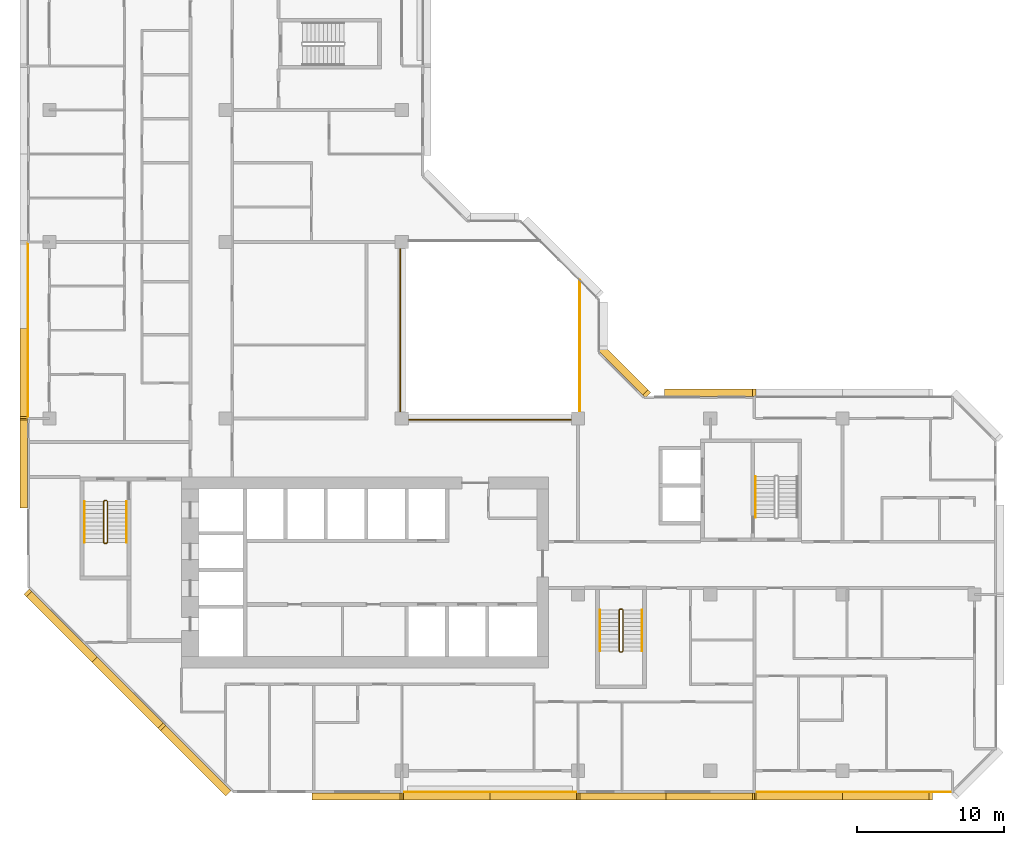
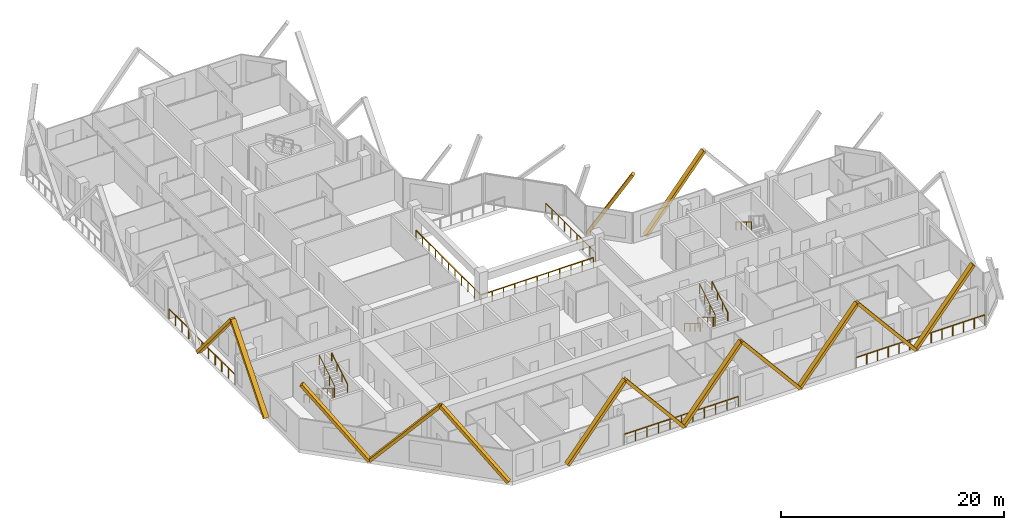
# One storey, part 14 of 15: 14 coverings, 12 railings.
"""IFC4 building model written with IfcOpenShell, lengths in metres."""

from ifc_helpers import new_model, si_unit, direction, frame, origin, origin_2d, place, context, subcontext, project, spatial, rectangle, extrude, material, material_profile, profile_set, type_object, element, save


model = new_model("IFC4")

# Units and contexts
model_context = context("Model", 3, precision=1e-05, world=origin(), true_north=direction((0.0, 1.0)))
body_context = subcontext(model_context, "Body", "Model", "MODEL_VIEW")
ifc_project = project(units=[si_unit("LENGTHUNIT", "METRE"), si_unit("AREAUNIT", "SQUARE_METRE"), si_unit("VOLUMEUNIT", "CUBIC_METRE"), si_unit("PLANEANGLEUNIT", "RADIAN"), si_unit("MASSUNIT", "GRAM", prefix="KILO")], contexts=[model_context])

# Site, building, storey
site_placement = place(None, origin())
site = spatial("IfcSite", under=ifc_project, at=site_placement, CompositionType="ELEMENT")
building_placement = place(site_placement, origin())
building = spatial("IfcBuilding", under=site, at=building_placement, Name="Chenar Terraces", CompositionType="ELEMENT")
storey_placement = place(building_placement, frame((0.0, 0.0, 172.39990234375)))
storey = spatial("IfcBuildingStorey", under=building, at=storey_placement, Name="L39", CompositionType="ELEMENT", Elevation=172.39990234375)

# Railings
ifc_material_1 = material(Name="Powder-coated steel", Category="steel")
railing_type_1 = type_object("IfcRailingType", Name="Guard 1100 steel rail with glass infill", PredefinedType="GUARDRAIL", material=ifc_material_1)
railing_1_placement = place(storey_placement, frame((23.89990234375, 35.550048828125, 0.0)))
element("IfcRailing", 1, at=railing_1_placement, inside=storey, type_object=railing_type_1, Name="Guard L39-1", PredefinedType="GUARDRAIL", context=body_context, shape_type="SweptSolid", body=[
    extrude(rectangle(XDim=0.06005859375, YDim=0.06005859375, at=origin_2d()), frame((0.0, 0.0, 1.070068359375), z_axis=(0.0, -1.0, 0.0), x_axis=(1.0, 0.0, 0.0)), (0.0, 0.0, 1.0), 11.650146484375),
    extrude(rectangle(XDim=0.06005859375, YDim=0.06005859375, at=origin_2d()), frame((0.0, -11.650146484375, 1.070068359375), z_axis=(1.0, 0.0, 0.0), x_axis=(0.0, 1.0, 0.0)), (0.0, 0.0, 1.0), 11.650146484375),
    extrude(rectangle(XDim=0.050048828125, YDim=0.050048828125, at=origin_2d()), origin(), (0.0, 0.0, 1.0), 1.0400390625),
    extrude(rectangle(XDim=0.050048828125, YDim=0.050048828125, at=origin_2d()), frame((0.0, -1.1650390625, 0.0)), (0.0, 0.0, 1.0), 1.0400390625),
    extrude(rectangle(XDim=0.050048828125, YDim=0.050048828125, at=origin_2d()), frame((0.0, -2.330078125, 0.0)), (0.0, 0.0, 1.0), 1.0400390625),
    extrude(rectangle(XDim=0.050048828125, YDim=0.050048828125, at=origin_2d()), frame((0.0, -3.4951171875, 0.0)), (0.0, 0.0, 1.0), 1.0400390625),
    extrude(rectangle(XDim=0.050048828125, YDim=0.050048828125, at=origin_2d()), frame((0.0, -4.66015625, 0.0)), (0.0, 0.0, 1.0), 1.0400390625),
    extrude(rectangle(XDim=0.050048828125, YDim=0.050048828125, at=origin_2d()), frame((0.0, -5.8251953125, 0.0)), (0.0, 0.0, 1.0), 1.0400390625),
    extrude(rectangle(XDim=0.050048828125, YDim=0.050048828125, at=origin_2d()), frame((0.0, -6.989990234375, 0.0)), (0.0, 0.0, 1.0), 1.0400390625),
    extrude(rectangle(XDim=0.050048828125, YDim=0.050048828125, at=origin_2d()), frame((0.0, -8.155029296875, 0.0)), (0.0, 0.0, 1.0), 1.0400390625),
    extrude(rectangle(XDim=0.050048828125, YDim=0.050048828125, at=origin_2d()), frame((0.0, -9.320068359375, 0.0)), (0.0, 0.0, 1.0), 1.0400390625),
    extrude(rectangle(XDim=0.050048828125, YDim=0.050048828125, at=origin_2d()), frame((0.0, -10.485107421875, 0.0)), (0.0, 0.0, 1.0), 1.0400390625),
    extrude(rectangle(XDim=0.050048828125, YDim=0.050048828125, at=origin_2d()), frame((0.0, -11.650146484375, 0.0)), (0.0, 0.0, 1.0), 1.0400390625),
    extrude(rectangle(XDim=0.050048828125, YDim=0.050048828125, at=origin_2d()), frame((1.1650390625, -11.650146484375, 0.0)), (0.0, 0.0, 1.0), 1.0400390625),
    extrude(rectangle(XDim=0.050048828125, YDim=0.050048828125, at=origin_2d()), frame((2.330078125, -11.650146484375, 0.0)), (0.0, 0.0, 1.0), 1.0400390625),
    extrude(rectangle(XDim=0.050048828125, YDim=0.050048828125, at=origin_2d()), frame((3.4951171875, -11.650146484375, 0.0)), (0.0, 0.0, 1.0), 1.0400390625),
    extrude(rectangle(XDim=0.050048828125, YDim=0.050048828125, at=origin_2d()), frame((4.66015625, -11.650146484375, 0.0)), (0.0, 0.0, 1.0), 1.0400390625),
    extrude(rectangle(XDim=0.050048828125, YDim=0.050048828125, at=origin_2d()), frame((5.8251953125, -11.650146484375, 0.0)), (0.0, 0.0, 1.0), 1.0400390625),
    extrude(rectangle(XDim=0.050048828125, YDim=0.050048828125, at=origin_2d()), frame((6.989990234375, -11.650146484375, 0.0)), (0.0, 0.0, 1.0), 1.0400390625),
    extrude(rectangle(XDim=0.050048828125, YDim=0.050048828125, at=origin_2d()), frame((8.155029296875, -11.650146484375, 0.0)), (0.0, 0.0, 1.0), 1.0400390625),
    extrude(rectangle(XDim=0.050048828125, YDim=0.050048828125, at=origin_2d()), frame((9.320068359375, -11.650146484375, 0.0)), (0.0, 0.0, 1.0), 1.0400390625),
    extrude(rectangle(XDim=0.050048828125, YDim=0.050048828125, at=origin_2d()), frame((10.485107421875, -11.650146484375, 0.0)), (0.0, 0.0, 1.0), 1.0400390625),
    extrude(rectangle(XDim=0.050048828125, YDim=0.050048828125, at=origin_2d()), frame((11.650146484375, -11.650146484375, 0.0)), (0.0, 0.0, 1.0), 1.0400390625),
])
railing_2_placement = place(storey_placement, frame((36.10009765625, 24.5, 0.0)))
element("IfcRailing", 2, at=railing_2_placement, inside=storey, type_object=railing_type_1, Name="Guard L39-3", PredefinedType="GUARDRAIL", context=body_context, shape_type="SweptSolid", body=[
    extrude(rectangle(XDim=0.06005859375, YDim=0.06005859375, at=origin_2d()), frame((0.0, 0.0, 1.070068359375), z_axis=(0.0, 1.0, 0.0), x_axis=(-1.0, 0.0, 0.0)), (0.0, 0.0, 1.0), 8.89990234375),
    extrude(rectangle(XDim=0.050048828125, YDim=0.050048828125, at=origin_2d()), origin(), (0.0, 0.0, 1.0), 1.0400390625),
    extrude(rectangle(XDim=0.050048828125, YDim=0.050048828125, at=origin_2d()), frame((0.0, 1.112548828125, 0.0)), (0.0, 0.0, 1.0), 1.0400390625),
    extrude(rectangle(XDim=0.050048828125, YDim=0.050048828125, at=origin_2d()), frame((0.0, 2.22509765625, 0.0)), (0.0, 0.0, 1.0), 1.0400390625),
    extrude(rectangle(XDim=0.050048828125, YDim=0.050048828125, at=origin_2d()), frame((0.0, 3.33740234375, 0.0)), (0.0, 0.0, 1.0), 1.0400390625),
    extrude(rectangle(XDim=0.050048828125, YDim=0.050048828125, at=origin_2d()), frame((0.0, 4.449951171875, 0.0)), (0.0, 0.0, 1.0), 1.0400390625),
    extrude(rectangle(XDim=0.050048828125, YDim=0.050048828125, at=origin_2d()), frame((0.0, 5.5625, 0.0)), (0.0, 0.0, 1.0), 1.0400390625),
    extrude(rectangle(XDim=0.050048828125, YDim=0.050048828125, at=origin_2d()), frame((0.0, 6.6748046875, 0.0)), (0.0, 0.0, 1.0), 1.0400390625),
    extrude(rectangle(XDim=0.050048828125, YDim=0.050048828125, at=origin_2d()), frame((0.0, 7.787353515625, 0.0)), (0.0, 0.0, 1.0), 1.0400390625),
    extrude(rectangle(XDim=0.050048828125, YDim=0.050048828125, at=origin_2d()), frame((0.0, 8.89990234375, 0.0)), (0.0, 0.0, 1.0), 1.0400390625),
])
ifc_material_2 = material(Name="Stainless steel and glass", Category="steel")
railing_type_2 = type_object("IfcRailingType", Name="Loggia guard 1150", PredefinedType="GUARDRAIL", material=ifc_material_2)
railing_3_placement = place(storey_placement, frame((24.074951171875, -1.449951171875, 0.0)))
element("IfcRailing", 3, at=railing_3_placement, inside=storey, type_object=railing_type_2, Name="Loggia guard", PredefinedType="GUARDRAIL", context=body_context, shape_type="SweptSolid", body=[
    extrude(rectangle(XDim=0.048095703125, YDim=0.048095703125, at=origin_2d()), frame((0.0, 0.0, 1.1259765625), z_axis=(1.0, 0.0, 0.0), x_axis=(0.0, 1.0, 0.0)), (0.0, 0.0, 1.0), 11.85009765625),
    extrude(rectangle(XDim=0.0419921875, YDim=0.0419921875, at=origin_2d()), origin(), (0.0, 0.0, 1.0), 1.101806640625),
    extrude(rectangle(XDim=0.0419921875, YDim=0.0419921875, at=origin_2d()), frame((1.18505859375, 0.0, 0.0)), (0.0, 0.0, 1.0), 1.101806640625),
    extrude(rectangle(XDim=0.0419921875, YDim=0.0419921875, at=origin_2d()), frame((2.3701171875, 0.0, 0.0)), (0.0, 0.0, 1.0), 1.101806640625),
    extrude(rectangle(XDim=0.0419921875, YDim=0.0419921875, at=origin_2d()), frame((3.554931640625, 0.0, 0.0)), (0.0, 0.0, 1.0), 1.101806640625),
    extrude(rectangle(XDim=0.0419921875, YDim=0.0419921875, at=origin_2d()), frame((4.739990234375, 0.0, 0.0)), (0.0, 0.0, 1.0), 1.101806640625),
    extrude(rectangle(XDim=0.0419921875, YDim=0.0419921875, at=origin_2d()), frame((5.925048828125, 0.0, 0.0)), (0.0, 0.0, 1.0), 1.101806640625),
    extrude(rectangle(XDim=0.0419921875, YDim=0.0419921875, at=origin_2d()), frame((7.110107421875, 0.0, 0.0)), (0.0, 0.0, 1.0), 1.101806640625),
    extrude(rectangle(XDim=0.0419921875, YDim=0.0419921875, at=origin_2d()), frame((8.295166015625, 0.0, 0.0)), (0.0, 0.0, 1.0), 1.101806640625),
    extrude(rectangle(XDim=0.0419921875, YDim=0.0419921875, at=origin_2d()), frame((9.47998046875, 0.0, 0.0)), (0.0, 0.0, 1.0), 1.101806640625),
    extrude(rectangle(XDim=0.0419921875, YDim=0.0419921875, at=origin_2d()), frame((10.6650390625, 0.0, 0.0)), (0.0, 0.0, 1.0), 1.101806640625),
    extrude(rectangle(XDim=0.0419921875, YDim=0.0419921875, at=origin_2d()), frame((11.85009765625, 0.0, 0.0)), (0.0, 0.0, 1.0), 1.101806640625),
])
railing_4_placement = place(storey_placement, frame((48.074951171875, -1.449951171875, 0.0)))
element("IfcRailing", 4, at=railing_4_placement, inside=storey, type_object=railing_type_2, Name="Loggia guard", PredefinedType="GUARDRAIL", context=body_context, shape_type="SweptSolid", body=[
    extrude(rectangle(XDim=0.048095703125, YDim=0.048095703125, at=origin_2d()), frame((0.0, 0.0, 1.1259765625), z_axis=(1.0, 0.0, 0.0), x_axis=(0.0, 1.0, 0.0)), (0.0, 0.0, 1.0), 13.35009765625),
    extrude(rectangle(XDim=0.0419921875, YDim=0.0419921875, at=origin_2d()), origin(), (0.0, 0.0, 1.0), 1.101806640625),
    extrude(rectangle(XDim=0.0419921875, YDim=0.0419921875, at=origin_2d()), frame((1.112548828125, 0.0, 0.0)), (0.0, 0.0, 1.0), 1.101806640625),
    extrude(rectangle(XDim=0.0419921875, YDim=0.0419921875, at=origin_2d()), frame((2.22509765625, 0.0, 0.0)), (0.0, 0.0, 1.0), 1.101806640625),
    extrude(rectangle(XDim=0.0419921875, YDim=0.0419921875, at=origin_2d()), frame((3.33740234375, 0.0, 0.0)), (0.0, 0.0, 1.0), 1.101806640625),
    extrude(rectangle(XDim=0.0419921875, YDim=0.0419921875, at=origin_2d()), frame((4.449951171875, 0.0, 0.0)), (0.0, 0.0, 1.0), 1.101806640625),
    extrude(rectangle(XDim=0.0419921875, YDim=0.0419921875, at=origin_2d()), frame((5.5625, 0.0, 0.0)), (0.0, 0.0, 1.0), 1.101806640625),
    extrude(rectangle(XDim=0.0419921875, YDim=0.0419921875, at=origin_2d()), frame((6.675048828125, 0.0, 0.0)), (0.0, 0.0, 1.0), 1.101806640625),
    extrude(rectangle(XDim=0.0419921875, YDim=0.0419921875, at=origin_2d()), frame((7.78759765625, 0.0, 0.0)), (0.0, 0.0, 1.0), 1.101806640625),
    extrude(rectangle(XDim=0.0419921875, YDim=0.0419921875, at=origin_2d()), frame((8.900146484375, 0.0, 0.0)), (0.0, 0.0, 1.0), 1.101806640625),
    extrude(rectangle(XDim=0.0419921875, YDim=0.0419921875, at=origin_2d()), frame((10.0126953125, 0.0, 0.0)), (0.0, 0.0, 1.0), 1.101806640625),
    extrude(rectangle(XDim=0.0419921875, YDim=0.0419921875, at=origin_2d()), frame((11.125, 0.0, 0.0)), (0.0, 0.0, 1.0), 1.101806640625),
    extrude(rectangle(XDim=0.0419921875, YDim=0.0419921875, at=origin_2d()), frame((12.237548828125, 0.0, 0.0)), (0.0, 0.0, 1.0), 1.101806640625),
    extrude(rectangle(XDim=0.0419921875, YDim=0.0419921875, at=origin_2d()), frame((13.35009765625, 0.0, 0.0)), (0.0, 0.0, 1.0), 1.101806640625),
])
railing_5_placement = place(storey_placement, frame((-1.449951171875, 35.925048828125, 0.0)))
element("IfcRailing", 5, at=railing_5_placement, inside=storey, type_object=railing_type_2, Name="Loggia guard", PredefinedType="GUARDRAIL", context=body_context, shape_type="SweptSolid", body=[
    extrude(rectangle(XDim=0.048095703125, YDim=0.048095703125, at=origin_2d()), frame((0.0, 0.0, 1.1259765625), z_axis=(0.0, -1.0, 0.0), x_axis=(1.0, 0.0, 0.0)), (0.0, 0.0, 1.0), 11.85009765625),
    extrude(rectangle(XDim=0.0419921875, YDim=0.0419921875, at=origin_2d()), origin(), (0.0, 0.0, 1.0), 1.101806640625),
    extrude(rectangle(XDim=0.0419921875, YDim=0.0419921875, at=origin_2d()), frame((0.0, -1.18505859375, 0.0)), (0.0, 0.0, 1.0), 1.101806640625),
    extrude(rectangle(XDim=0.0419921875, YDim=0.0419921875, at=origin_2d()), frame((0.0, -2.3701171875, 0.0)), (0.0, 0.0, 1.0), 1.101806640625),
    extrude(rectangle(XDim=0.0419921875, YDim=0.0419921875, at=origin_2d()), frame((0.0, -3.554931640625, 0.0)), (0.0, 0.0, 1.0), 1.101806640625),
    extrude(rectangle(XDim=0.0419921875, YDim=0.0419921875, at=origin_2d()), frame((0.0, -4.739990234375, 0.0)), (0.0, 0.0, 1.0), 1.101806640625),
    extrude(rectangle(XDim=0.0419921875, YDim=0.0419921875, at=origin_2d()), frame((0.0, -5.925048828125, 0.0)), (0.0, 0.0, 1.0), 1.101806640625),
    extrude(rectangle(XDim=0.0419921875, YDim=0.0419921875, at=origin_2d()), frame((0.0, -7.110107421875, 0.0)), (0.0, 0.0, 1.0), 1.101806640625),
    extrude(rectangle(XDim=0.0419921875, YDim=0.0419921875, at=origin_2d()), frame((0.0, -8.295166015625, 0.0)), (0.0, 0.0, 1.0), 1.101806640625),
    extrude(rectangle(XDim=0.0419921875, YDim=0.0419921875, at=origin_2d()), frame((0.0, -9.47998046875, 0.0)), (0.0, 0.0, 1.0), 1.101806640625),
    extrude(rectangle(XDim=0.0419921875, YDim=0.0419921875, at=origin_2d()), frame((0.0, -10.6650390625, 0.0)), (0.0, 0.0, 1.0), 1.101806640625),
    extrude(rectangle(XDim=0.0419921875, YDim=0.0419921875, at=origin_2d()), frame((0.0, -11.85009765625, 0.0)), (0.0, 0.0, 1.0), 1.101806640625),
])
ifc_material_3 = material(Name="Powder-coated steel", Category="steel")
railing_type_3 = type_object("IfcRailingType", Name="Stair guard 1100", PredefinedType="GUARDRAIL", material=ifc_material_3)
railing_6_placement = place(storey_placement, frame((3.949951171875, 18.35009765625, 3.75)))
element("IfcRailing", 6, at=railing_6_placement, inside=storey, type_object=railing_type_3, Name="L39 ST1 stair guard 1", PredefinedType="GUARDRAIL", context=body_context, shape_type="SweptSolid", body=[
    extrude(rectangle(XDim=0.048095703125, YDim=0.048095703125, at=origin_2d()), frame((0.0, 0.0, 1.076171875), z_axis=(0.0, -0.854202870247, -0.519939858505), x_axis=(1.0, 0.0, 0.0)), (0.0, 0.0, 1.0), 3.278076171875),
    extrude(rectangle(XDim=0.048095703125, YDim=0.048095703125, at=origin_2d()), frame((0.0, -2.800048828125, -0.62841796875), z_axis=(-0.270899902878, -0.270899902878, -0.923702595667), x_axis=(0.707106781187, -0.707106781187, 0.0)), (0.0, 0.0, 1.0), 0.184814453125),
    extrude(rectangle(XDim=0.048095703125, YDim=0.048095703125, at=origin_2d()), frame((-0.050048828125, -2.85009765625, -0.798828125), z_axis=(-1.0, 0.0, 0.0), x_axis=(0.0, -1.0, 0.0)), (0.0, 0.0, 1.0), 0.14990234375),
    extrude(rectangle(XDim=0.048095703125, YDim=0.048095703125, at=origin_2d()), frame((-0.199951171875, -2.85009765625, -0.798828125), z_axis=(-0.707106781187, 0.707106781187, 0.0), x_axis=(-0.707106781187, -0.707106781187, 0.0)), (0.0, 0.0, 1.0), 0.07080078125),
    extrude(rectangle(XDim=0.048095703125, YDim=0.048095703125, at=origin_2d()), frame((-0.25, -2.800048828125, -0.798828125), z_axis=(0.0, 0.854202870247, -0.519939858505), x_axis=(-1.0, 0.0, 0.0)), (0.0, 0.0, 1.0), 3.278076171875),
    extrude(rectangle(XDim=0.048095703125, YDim=0.048095703125, at=origin_2d()), frame((-0.25, 0.0, -2.50341796875), z_axis=(0.270996696079, 0.269674760976, -0.924032636873), x_axis=(-0.705375805398, 0.708833529934, 0.0)), (0.0, 0.0, 1.0), 0.1845703125),
    extrude(rectangle(XDim=0.048095703125, YDim=0.048095703125, at=origin_2d()), frame((-0.199951171875, 0.0498046875, -2.673828125), z_axis=(1.0, 0.0, 0.0), x_axis=(0.0, 1.0, 0.0)), (0.0, 0.0, 1.0), 0.14990234375),
    extrude(rectangle(XDim=0.0419921875, YDim=0.0419921875, at=origin_2d()), origin(), (0.0, 0.0, 1.0), 1.052001953125),
    extrude(rectangle(XDim=0.0419921875, YDim=0.0419921875, at=origin_2d()), frame((0.0, -0.933349609375, -0.568115234375)), (0.0, 0.0, 1.0), 1.052001953125),
    extrude(rectangle(XDim=0.0419921875, YDim=0.0419921875, at=origin_2d()), frame((0.0, -1.86669921875, -1.13623046875)), (0.0, 0.0, 1.0), 1.052001953125),
    extrude(rectangle(XDim=0.0419921875, YDim=0.0419921875, at=origin_2d()), frame((0.0, -2.800048828125, -1.704345703125)), (0.0, 0.0, 1.0), 1.052001953125),
    extrude(rectangle(XDim=0.0419921875, YDim=0.0419921875, at=origin_2d()), frame((-0.050048828125, -2.85009765625, -1.875)), (0.0, 0.0, 1.0), 1.052001953125),
    extrude(rectangle(XDim=0.0419921875, YDim=0.0419921875, at=origin_2d()), frame((-0.199951171875, -2.85009765625, -1.875)), (0.0, 0.0, 1.0), 1.052001953125),
    extrude(rectangle(XDim=0.0419921875, YDim=0.0419921875, at=origin_2d()), frame((-0.25, -2.800048828125, -1.875)), (0.0, 0.0, 1.0), 1.052001953125),
    extrude(rectangle(XDim=0.0419921875, YDim=0.0419921875, at=origin_2d()), frame((-0.25, -1.86669921875, -2.443115234375)), (0.0, 0.0, 1.0), 1.052001953125),
    extrude(rectangle(XDim=0.0419921875, YDim=0.0419921875, at=origin_2d()), frame((-0.25, -0.933349609375, -3.01123046875)), (0.0, 0.0, 1.0), 1.052001953125),
    extrude(rectangle(XDim=0.0419921875, YDim=0.0419921875, at=origin_2d()), frame((-0.25, 0.0, -3.579345703125)), (0.0, 0.0, 1.0), 1.052001953125),
    extrude(rectangle(XDim=0.0419921875, YDim=0.0419921875, at=origin_2d()), frame((-0.199951171875, 0.0498046875, -3.75)), (0.0, 0.0, 1.0), 1.052001953125),
    extrude(rectangle(XDim=0.0419921875, YDim=0.0419921875, at=origin_2d()), frame((-0.050048828125, 0.0498046875, -3.75)), (0.0, 0.0, 1.0), 1.052001953125),
])
railing_7_placement = place(storey_placement, frame((39.050048828125, 10.949951171875, 3.75)))
element("IfcRailing", 7, at=railing_7_placement, inside=storey, type_object=railing_type_3, Name="L39 ST2 stair guard 1", PredefinedType="GUARDRAIL", context=body_context, shape_type="SweptSolid", body=[
    extrude(rectangle(XDim=0.048095703125, YDim=0.048095703125, at=origin_2d()), frame((0.0, 0.0, 1.076171875), z_axis=(0.0, -0.854202870247, -0.519939858505), x_axis=(1.0, 0.0, 0.0)), (0.0, 0.0, 1.0), 3.278076171875),
    extrude(rectangle(XDim=0.048095703125, YDim=0.048095703125, at=origin_2d()), frame((0.0, -2.800048828125, -0.62841796875), z_axis=(-0.270996696079, -0.269674760976, -0.924032636873), x_axis=(0.705375805398, -0.708833529934, 0.0)), (0.0, 0.0, 1.0), 0.1845703125),
    extrude(rectangle(XDim=0.048095703125, YDim=0.048095703125, at=origin_2d()), frame((-0.050048828125, -2.849853515625, -0.798828125), z_axis=(-1.0, 0.0, 0.0), x_axis=(0.0, -1.0, 0.0)), (0.0, 0.0, 1.0), 0.14990234375),
    extrude(rectangle(XDim=0.048095703125, YDim=0.048095703125, at=origin_2d()), frame((-0.199951171875, -2.849853515625, -0.798828125), z_axis=(-0.708833529934, 0.705375805398, 0.0), x_axis=(-0.705375805398, -0.708833529934, 0.0)), (0.0, 0.0, 1.0), 0.070556640625),
    extrude(rectangle(XDim=0.048095703125, YDim=0.048095703125, at=origin_2d()), frame((-0.25, -2.800048828125, -0.798828125), z_axis=(0.0, 0.854202870247, -0.519939858505), x_axis=(-1.0, 0.0, 0.0)), (0.0, 0.0, 1.0), 3.278076171875),
    extrude(rectangle(XDim=0.048095703125, YDim=0.048095703125, at=origin_2d()), frame((-0.25, 0.0, -2.50341796875), z_axis=(0.270899902878, 0.270899902878, -0.923702595667), x_axis=(-0.707106781187, 0.707106781187, 0.0)), (0.0, 0.0, 1.0), 0.184814453125),
    extrude(rectangle(XDim=0.048095703125, YDim=0.048095703125, at=origin_2d()), frame((-0.199951171875, 0.050048828125, -2.673828125), z_axis=(1.0, 0.0, 0.0), x_axis=(0.0, 1.0, 0.0)), (0.0, 0.0, 1.0), 0.14990234375),
    extrude(rectangle(XDim=0.0419921875, YDim=0.0419921875, at=origin_2d()), origin(), (0.0, 0.0, 1.0), 1.052001953125),
    extrude(rectangle(XDim=0.0419921875, YDim=0.0419921875, at=origin_2d()), frame((0.0, -0.933349609375, -0.568115234375)), (0.0, 0.0, 1.0), 1.052001953125),
    extrude(rectangle(XDim=0.0419921875, YDim=0.0419921875, at=origin_2d()), frame((0.0, -1.86669921875, -1.13623046875)), (0.0, 0.0, 1.0), 1.052001953125),
    extrude(rectangle(XDim=0.0419921875, YDim=0.0419921875, at=origin_2d()), frame((0.0, -2.800048828125, -1.704345703125)), (0.0, 0.0, 1.0), 1.052001953125),
    extrude(rectangle(XDim=0.0419921875, YDim=0.0419921875, at=origin_2d()), frame((-0.050048828125, -2.849853515625, -1.875)), (0.0, 0.0, 1.0), 1.052001953125),
    extrude(rectangle(XDim=0.0419921875, YDim=0.0419921875, at=origin_2d()), frame((-0.199951171875, -2.849853515625, -1.875)), (0.0, 0.0, 1.0), 1.052001953125),
    extrude(rectangle(XDim=0.0419921875, YDim=0.0419921875, at=origin_2d()), frame((-0.25, -2.800048828125, -1.875)), (0.0, 0.0, 1.0), 1.052001953125),
    extrude(rectangle(XDim=0.0419921875, YDim=0.0419921875, at=origin_2d()), frame((-0.25, -1.86669921875, -2.443115234375)), (0.0, 0.0, 1.0), 1.052001953125),
    extrude(rectangle(XDim=0.0419921875, YDim=0.0419921875, at=origin_2d()), frame((-0.25, -0.933349609375, -3.01123046875)), (0.0, 0.0, 1.0), 1.052001953125),
    extrude(rectangle(XDim=0.0419921875, YDim=0.0419921875, at=origin_2d()), frame((-0.25, 0.0, -3.579345703125)), (0.0, 0.0, 1.0), 1.052001953125),
    extrude(rectangle(XDim=0.0419921875, YDim=0.0419921875, at=origin_2d()), frame((-0.199951171875, 0.050048828125, -3.75)), (0.0, 0.0, 1.0), 1.052001953125),
    extrude(rectangle(XDim=0.0419921875, YDim=0.0419921875, at=origin_2d()), frame((-0.050048828125, 0.050048828125, -3.75)), (0.0, 0.0, 1.0), 1.052001953125),
])
ifc_material_4 = material(Name="Powder-coated steel", Category="steel")
railing_type_4 = type_object("IfcRailingType", Name="Stair handrail 900", PredefinedType="HANDRAIL", material=ifc_material_4)
railing_8_placement = place(storey_placement, frame((2.39990234375, 18.35009765625, 0.170654296875)))
element("IfcRailing", 8, at=railing_8_placement, inside=storey, type_object=railing_type_4, Name="L39 ST1 stair handrail 1", PredefinedType="HANDRAIL", context=body_context, shape_type="SweptSolid", body=[
    extrude(rectangle(XDim=0.048095703125, YDim=0.048095703125, at=origin_2d()), frame((0.0, 0.0, 0.8759765625), z_axis=(0.0, -0.854202870247, 0.519939858505), x_axis=(1.0, 0.0, 0.0)), (0.0, 0.0, 1.0), 3.278076171875),
    extrude(rectangle(XDim=0.0419921875, YDim=0.0419921875, at=origin_2d()), origin(), (0.0, 0.0, 1.0), 0.851806640625),
    extrude(rectangle(XDim=0.0419921875, YDim=0.0419921875, at=origin_2d()), frame((0.0, -0.933349609375, 0.568115234375)), (0.0, 0.0, 1.0), 0.851806640625),
    extrude(rectangle(XDim=0.0419921875, YDim=0.0419921875, at=origin_2d()), frame((0.0, -1.86669921875, 1.13623046875)), (0.0, 0.0, 1.0), 0.851806640625),
    extrude(rectangle(XDim=0.0419921875, YDim=0.0419921875, at=origin_2d()), frame((0.0, -2.800048828125, 1.704345703125)), (0.0, 0.0, 1.0), 0.851806640625),
])
railing_9_placement = place(storey_placement, frame((5.25, 15.550048828125, 2.045654296875)))
element("IfcRailing", 9, at=railing_9_placement, inside=storey, type_object=railing_type_4, Name="L39 ST1 stair handrail 2", PredefinedType="HANDRAIL", context=body_context, shape_type="SweptSolid", body=[
    extrude(rectangle(XDim=0.048095703125, YDim=0.048095703125, at=origin_2d()), frame((0.0, 0.0, 0.8759765625), z_axis=(0.0, 0.854202870247, 0.519939858505), x_axis=(-1.0, 0.0, 0.0)), (0.0, 0.0, 1.0), 3.278076171875),
    extrude(rectangle(XDim=0.0419921875, YDim=0.0419921875, at=origin_2d()), origin(), (0.0, 0.0, 1.0), 0.851806640625),
    extrude(rectangle(XDim=0.0419921875, YDim=0.0419921875, at=origin_2d()), frame((0.0, 0.933349609375, 0.568115234375)), (0.0, 0.0, 1.0), 0.851806640625),
    extrude(rectangle(XDim=0.0419921875, YDim=0.0419921875, at=origin_2d()), frame((0.0, 1.86669921875, 1.13623046875)), (0.0, 0.0, 1.0), 0.851806640625),
    extrude(rectangle(XDim=0.0419921875, YDim=0.0419921875, at=origin_2d()), frame((0.0, 2.800048828125, 1.704345703125)), (0.0, 0.0, 1.0), 0.851806640625),
])
railing_10_placement = place(storey_placement, frame((37.5, 10.949951171875, 0.170654296875)))
element("IfcRailing", 10, at=railing_10_placement, inside=storey, type_object=railing_type_4, Name="L39 ST2 stair handrail 1", PredefinedType="HANDRAIL", context=body_context, shape_type="SweptSolid", body=[
    extrude(rectangle(XDim=0.048095703125, YDim=0.048095703125, at=origin_2d()), frame((0.0, 0.0, 0.8759765625), z_axis=(0.0, -0.854202870247, 0.519939858505), x_axis=(1.0, 0.0, 0.0)), (0.0, 0.0, 1.0), 3.278076171875),
    extrude(rectangle(XDim=0.0419921875, YDim=0.0419921875, at=origin_2d()), origin(), (0.0, 0.0, 1.0), 0.851806640625),
    extrude(rectangle(XDim=0.0419921875, YDim=0.0419921875, at=origin_2d()), frame((0.0, -0.933349609375, 0.568115234375)), (0.0, 0.0, 1.0), 0.851806640625),
    extrude(rectangle(XDim=0.0419921875, YDim=0.0419921875, at=origin_2d()), frame((0.0, -1.86669921875, 1.13623046875)), (0.0, 0.0, 1.0), 0.851806640625),
    extrude(rectangle(XDim=0.0419921875, YDim=0.0419921875, at=origin_2d()), frame((0.0, -2.800048828125, 1.704345703125)), (0.0, 0.0, 1.0), 0.851806640625),
])
railing_11_placement = place(storey_placement, frame((40.35009765625, 8.14990234375, 2.045654296875)))
element("IfcRailing", 11, at=railing_11_placement, inside=storey, type_object=railing_type_4, Name="L39 ST2 stair handrail 2", PredefinedType="HANDRAIL", context=body_context, shape_type="SweptSolid", body=[
    extrude(rectangle(XDim=0.048095703125, YDim=0.048095703125, at=origin_2d()), frame((0.0, 0.0, 0.8759765625), z_axis=(0.0, 0.854202870247, 0.519939858505), x_axis=(-1.0, 0.0, 0.0)), (0.0, 0.0, 1.0), 3.278076171875),
    extrude(rectangle(XDim=0.0419921875, YDim=0.0419921875, at=origin_2d()), origin(), (0.0, 0.0, 1.0), 0.851806640625),
    extrude(rectangle(XDim=0.0419921875, YDim=0.0419921875, at=origin_2d()), frame((0.0, 0.933349609375, 0.568115234375)), (0.0, 0.0, 1.0), 0.851806640625),
    extrude(rectangle(XDim=0.0419921875, YDim=0.0419921875, at=origin_2d()), frame((0.0, 1.86669921875, 1.13623046875)), (0.0, 0.0, 1.0), 0.851806640625),
    extrude(rectangle(XDim=0.0419921875, YDim=0.0419921875, at=origin_2d()), frame((0.0, 2.800048828125, 1.704345703125)), (0.0, 0.0, 1.0), 0.851806640625),
])
railing_12_placement = place(storey_placement, frame((48.074951171875, 20.050048828125, 2.045654296875)))
element("IfcRailing", 12, at=railing_12_placement, inside=storey, type_object=railing_type_4, Name="L39 ST3 stair handrail 2", PredefinedType="HANDRAIL", context=body_context, shape_type="SweptSolid", body=[
    extrude(rectangle(XDim=0.048095703125, YDim=0.048095703125, at=origin_2d()), frame((0.0, 0.0, 0.8759765625), z_axis=(0.0, -0.854202870247, 0.519939858505), x_axis=(1.0, 0.0, 0.0)), (0.0, 0.0, 1.0), 3.278076171875),
    extrude(rectangle(XDim=0.0419921875, YDim=0.0419921875, at=origin_2d()), origin(), (0.0, 0.0, 1.0), 0.851806640625),
    extrude(rectangle(XDim=0.0419921875, YDim=0.0419921875, at=origin_2d()), frame((0.0, -0.933349609375, 0.568115234375)), (0.0, 0.0, 1.0), 0.851806640625),
    extrude(rectangle(XDim=0.0419921875, YDim=0.0419921875, at=origin_2d()), frame((0.0, -1.86669921875, 1.13623046875)), (0.0, 0.0, 1.0), 0.851806640625),
    extrude(rectangle(XDim=0.0419921875, YDim=0.0419921875, at=origin_2d()), frame((0.0, -2.800048828125, 1.704345703125)), (0.0, 0.0, 1.0), 0.851806640625),
])

# Coverings
ifc_material_5 = material(Name="Terracotta", Category="masonry")
ifc_material_profile = material_profile(ifc_material_5, rectangle(XDim=0.5, YDim=0.300048828125, at=origin_2d()), Name="Terracotta baguette 500 x 300")
ifc_profile_set = profile_set([ifc_material_profile], Name="Terracotta")
covering_type = type_object("IfcCoveringType", Name="Terracotta baguette 500 x 300", PredefinedType="CLADDING", material=ifc_profile_set)
covering_1_placement = place(storey_placement, frame((48.0, 25.75, 7.35009765625), z_axis=(-0.640186961885, 0.0, -0.768219144407), x_axis=(0.0, -1.0, 0.0)))
element("IfcCovering", 13, at=covering_1_placement, inside=storey, type_object=covering_type, Name="Terracotta baguette", PredefinedType="CLADDING", context=body_context, shape_type="SweptSolid", body=[
    extrude(rectangle(XDim=0.5, YDim=0.300048828125, at=origin_2d()), origin(), (0.0, 0.0, 1.0), 9.372314453125),
])
covering_2_placement = place(storey_placement, frame((40.6767578125, 25.6767578125, 7.35009765625), z_axis=(-0.358980886355, 0.358980886355, -0.861548284464), x_axis=(-0.707106781187, -0.707106781187, 0.0)))
element("IfcCovering", 14, at=covering_2_placement, inside=storey, type_object=covering_type, Name="Terracotta baguette", PredefinedType="CLADDING", context=body_context, shape_type="SweptSolid", body=[
    extrude(rectangle(XDim=0.5, YDim=0.300048828125, at=origin_2d()), origin(), (0.0, 0.0, 1.0), 8.35693359375),
])
for number, where, z_axis, x_axis, name in (
    (15, (-1.75, 30.0, 0.150146484375), (0.0, -0.640186961885, 0.768219144407), (1.0, 0.0, 0.0), "Terracotta baguette"),
    (16, (-1.75, 24.0, 7.35009765625), (0.0, -0.640186961885, -0.768219144407), (1.0, 0.0, 0.0), "Terracotta baguette"),
):
    element("IfcCovering", number, at=place(storey_placement, frame(where, z_axis=z_axis, x_axis=x_axis)), inside=storey, type_object=covering_type, Name=name, PredefinedType="CLADDING", context=body_context, shape_type="SweptSolid", body=[
        extrude(rectangle(XDim=0.5, YDim=0.300048828125, at=origin_2d()), origin(), (0.0, 0.0, 1.0), 9.372314453125),
    ])
covering_3_placement = place(storey_placement, frame((-1.464599609375, 12.111083984375, 7.35009765625), z_axis=(0.465624035565, -0.465624035565, -0.752587878595), x_axis=(0.707106781187, 0.707106781187, 0.0)))
element("IfcCovering", 17, at=covering_3_placement, inside=storey, type_object=covering_type, Name="Terracotta baguette", PredefinedType="CLADDING", context=body_context, shape_type="SweptSolid", body=[
    extrude(rectangle(XDim=0.5, YDim=0.300048828125, at=origin_2d()), origin(), (0.0, 0.0, 1.0), 9.56689453125),
])
covering_4_placement = place(storey_placement, frame((2.989990234375, 7.656494140625, 0.150146484375), z_axis=(0.477788925607, -0.477788925607, 0.737180768289), x_axis=(0.707106781187, 0.707106781187, 0.0)))
element("IfcCovering", 18, at=covering_4_placement, inside=storey, type_object=covering_type, Name="Terracotta baguette", PredefinedType="CLADDING", context=body_context, shape_type="SweptSolid", body=[
    extrude(rectangle(XDim=0.5, YDim=0.300048828125, at=origin_2d()), origin(), (0.0, 0.0, 1.0), 9.766845703125),
])
covering_5_placement = place(storey_placement, frame((7.656494140625, 2.989990234375, 7.35009765625), z_axis=(0.465624035565, -0.465624035565, -0.752587878595), x_axis=(0.707106781187, 0.707106781187, 0.0)))
element("IfcCovering", 19, at=covering_5_placement, inside=storey, type_object=covering_type, Name="Terracotta baguette", PredefinedType="CLADDING", context=body_context, shape_type="SweptSolid", body=[
    extrude(rectangle(XDim=0.5, YDim=0.300048828125, at=origin_2d()), origin(), (0.0, 0.0, 1.0), 9.56689453125),
])
for number, where, z_axis, x_axis, name in (
    (20, (18.0, -1.75, 0.150146484375), (0.640186961885, 0.0, 0.768219144407), (0.0, 1.0, 0.0), "Terracotta baguette"),
    (21, (24.0, -1.75, 7.35009765625), (0.640186961885, 0.0, -0.768219144407), (0.0, 1.0, 0.0), "Terracotta baguette"),
    (22, (30.0, -1.75, 0.150146484375), (0.640186961885, 0.0, 0.768219144407), (0.0, 1.0, 0.0), "Terracotta baguette"),
    (23, (36.0, -1.75, 7.35009765625), (0.640186961885, 0.0, -0.768219144407), (0.0, 1.0, 0.0), "Terracotta baguette"),
    (24, (42.0, -1.75, 0.150146484375), (0.640186961885, 0.0, 0.768219144407), (0.0, 1.0, 0.0), "Terracotta baguette"),
    (25, (48.0, -1.75, 7.35009765625), (0.640186961885, 0.0, -0.768219144407), (0.0, 1.0, 0.0), "Terracotta baguette"),
    (26, (54.0, -1.75, 0.150146484375), (0.640186961885, 0.0, 0.768219144407), (0.0, 1.0, 0.0), "Terracotta baguette"),
):
    element("IfcCovering", number, at=place(storey_placement, frame(where, z_axis=z_axis, x_axis=x_axis)), inside=storey, type_object=covering_type, Name=name, PredefinedType="CLADDING", context=body_context, shape_type="SweptSolid", body=[
        extrude(rectangle(XDim=0.5, YDim=0.300048828125, at=origin_2d()), origin(), (0.0, 0.0, 1.0), 9.372314453125),
    ])

save(model, "model.ifc")
